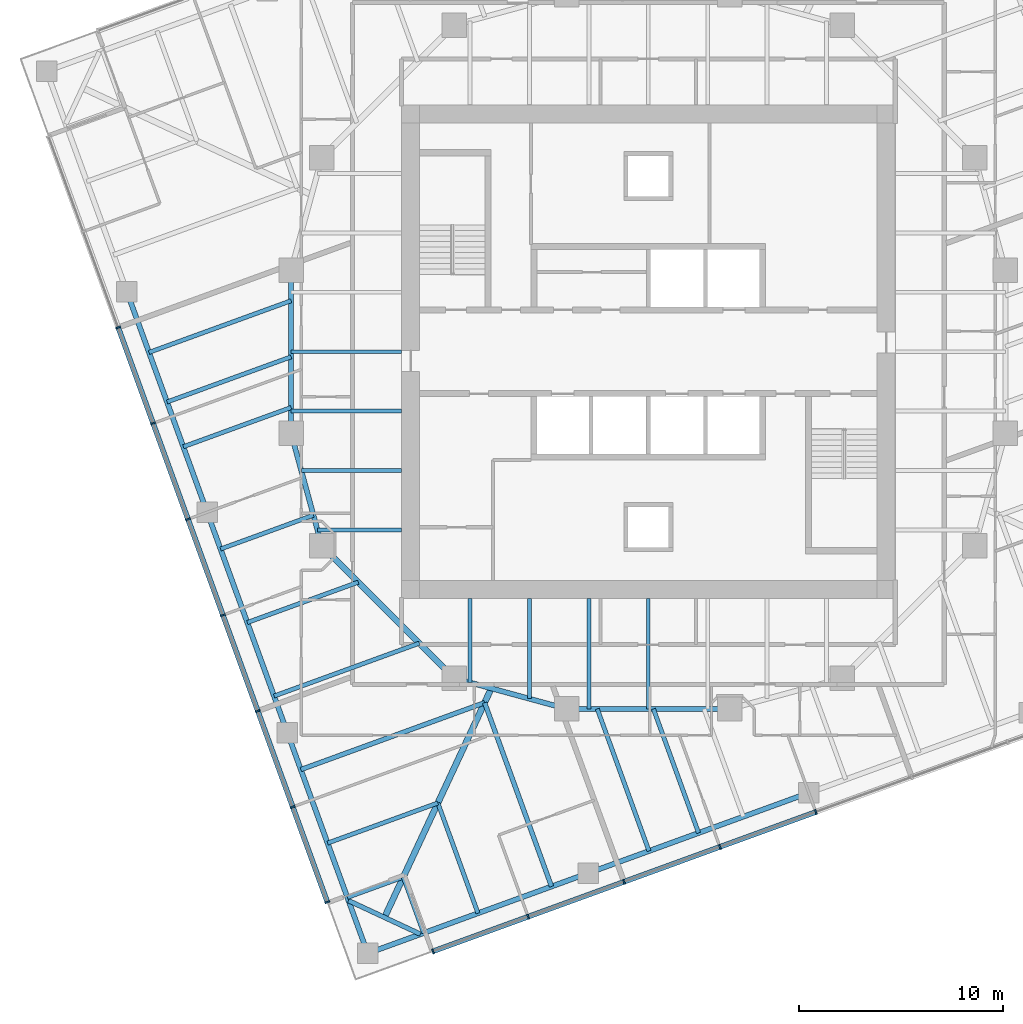
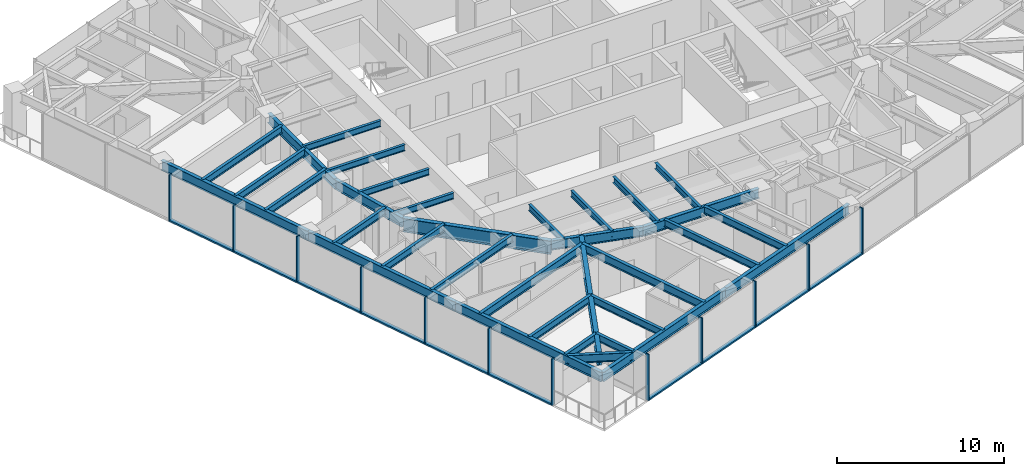
# One storey, part 2 of 13: 34 beams, 22 members, 2 elements without a shape of their own.
"""IFC4 building model written with IfcOpenShell, lengths in metres."""

from ifc_helpers import new_model, si_unit, direction, frame, origin, origin_2d, place, context, subcontext, project, spatial, rectangle, i_section, extrude, material, material_profile, profile_set, type_object, element, aggregate, save


model = new_model("IFC4")

# Units and contexts
model_context = context("Model", 3, precision=1e-05, world=origin(), true_north=direction((0.0, 1.0)))
body_context = subcontext(model_context, "Body", "Model", "MODEL_VIEW")
ifc_project = project(units=[si_unit("LENGTHUNIT", "METRE"), si_unit("AREAUNIT", "SQUARE_METRE"), si_unit("VOLUMEUNIT", "CUBIC_METRE"), si_unit("PLANEANGLEUNIT", "RADIAN"), si_unit("MASSUNIT", "GRAM", prefix="KILO")], contexts=[model_context])

# Site, building, storey
site_placement = place(None, origin())
site = spatial("IfcSite", under=ifc_project, at=site_placement, CompositionType="ELEMENT")
building_placement = place(site_placement, origin())
building = spatial("IfcBuilding", under=site, at=building_placement, Name="Torsade Residences", CompositionType="ELEMENT")
storey_placement = place(building_placement, frame((0.0, 0.0, 154.0)))
storey = spatial("IfcBuildingStorey", under=building, at=storey_placement, Name="L42", CompositionType="ELEMENT", Elevation=154.0)

# Beams
ifc_material_1 = material(Name="Steel grade 300", Category="steel")
ifc_material_profile_1 = material_profile(ifc_material_1, i_section(OverallWidth=0.300048828125, OverallDepth=0.89990234375, WebThickness=0.011962890625, FlangeThickness=0.02490234375, at=origin_2d()), Name="900WB175")
ifc_profile_set_1 = profile_set([ifc_material_profile_1], Name="Steel grade 300")
beam_type_1 = type_object("IfcBeamType", Name="CORNER GIRDER 900WB175", PredefinedType="BEAM", material=ifc_profile_set_1)
beam_1_placement = place(storey_placement, frame((27.075439453125, 2.282958984375, 2.800048828125), z_axis=(0.422616712682, 0.906308509373, 0.0), x_axis=(-0.906308509373, 0.422616712682, 0.0)))
element("IfcBeam", 1, at=beam_1_placement, inside=storey, type_object=beam_type_1, Name="Corner girder 01 L43", PredefinedType="BEAM", context=body_context, shape_type="SweptSolid", body=[
    extrude(i_section(OverallWidth=0.300048828125, OverallDepth=0.89990234375, WebThickness=0.011962890625, FlangeThickness=0.02490234375, at=origin_2d()), origin(), (0.0, 0.0, 1.0), 12.3837890625),
])
ifc_material_2 = material(Name="Steel grade 300", Category="steel")
ifc_material_profile_2 = material_profile(ifc_material_2, i_section(OverallWidth=0.22802734375, OverallDepth=0.60205078125, WebThickness=0.010498046875, FlangeThickness=0.014892578125, FilletRadius=0.013916015625, at=origin_2d()), Name="610UB101")
ifc_profile_set_2 = profile_set([ifc_material_profile_2], Name="Steel grade 300")
beam_type_2 = type_object("IfcBeamType", Name="CORNER TRIMMER 610UB101", PredefinedType="BEAM", material=ifc_profile_set_2)
beam_2_placement = place(storey_placement, frame((28.837646484375, 1.461181640625, 2.948974609375), z_axis=(-0.906309798645, 0.422613947806, 0.0), x_axis=(-0.422613947806, -0.906309798645, 0.0)))
element("IfcBeam", 2, at=beam_2_placement, inside=storey, type_object=beam_type_2, Name="Corner trimmer 01 L43", PredefinedType="BEAM", context=body_context, shape_type="SweptSolid", body=[
    extrude(i_section(OverallWidth=0.22802734375, OverallDepth=0.60205078125, WebThickness=0.010498046875, FlangeThickness=0.014892578125, FilletRadius=0.013916015625, at=origin_2d()), origin(), (0.0, 0.0, 1.0), 3.888916015625),
])
ifc_material_3 = material(Name="Steel grade 300", Category="steel")
ifc_material_profile_3 = material_profile(ifc_material_3, i_section(OverallWidth=0.25, OverallDepth=0.699951171875, WebThickness=0.010009765625, FlangeThickness=0.02001953125, at=origin_2d()), Name="700WB130")
ifc_profile_set_3 = profile_set([ifc_material_profile_3], Name="Steel grade 300")
beam_type_3 = type_object("IfcBeamType", Name="EDGE BEAM 700WB130", PredefinedType="SPANDREL", material=ifc_profile_set_3)
beam_3_placement = place(storey_placement, frame((26.25341796875, 0.5205078125, 2.89990234375), z_axis=(0.93969110915, 0.342024296483, 0.0), x_axis=(-0.342024296483, 0.93969110915, 0.0)))
element("IfcBeam", 3, at=beam_3_placement, inside=storey, type_object=beam_type_3, Name="Edge beam 01 L43", PredefinedType="SPANDREL", context=body_context, shape_type="SweptSolid", body=[
    extrude(i_section(OverallWidth=0.25, OverallDepth=0.699951171875, WebThickness=0.010009765625, FlangeThickness=0.02001953125, at=origin_2d()), origin(), (0.0, 0.0, 1.0), 11.500244140625),
])
for number, where, z_axis, x_axis, name in (
    (4, (37.06005859375, 4.453857421875, 2.89990234375), (0.939695448801, 0.342012373318, 0.0), (-0.342012373318, 0.939695448801, 0.0), "Edge beam 02 L43"),
    (5, (14.453857421875, 32.93994140625, 2.89990234375), (0.342012373318, -0.939695448801, 0.0), (0.939695448801, 0.342012373318, 0.0), "Edge beam 14 L43"),
    (6, (18.386962890625, 22.133544921875, 2.89990234375), (0.342031119628, -0.939688625666, 0.0), (0.939688625666, 0.342031119628, 0.0), "Edge beam 15 L43"),
    (7, (22.3203125, 11.3271484375, 2.89990234375), (0.342005550448, -0.939697932031, 0.0), (0.939697932031, 0.342005550448, 0.0), "Edge beam 16 L43"),
):
    element("IfcBeam", number, at=place(storey_placement, frame(where, z_axis=z_axis, x_axis=x_axis)), inside=storey, type_object=beam_type_3, Name=name, PredefinedType="SPANDREL", context=body_context, shape_type="SweptSolid", body=[
        extrude(i_section(OverallWidth=0.25, OverallDepth=0.699951171875, WebThickness=0.010009765625, FlangeThickness=0.02001953125, at=origin_2d()), origin(), (0.0, 0.0, 1.0), 11.5),
    ])
ifc_material_4 = material(Name="Steel grade 300", Category="steel")
ifc_material_profile_4 = material_profile(ifc_material_4, i_section(OverallWidth=0.18994140625, OverallDepth=0.4541015625, WebThickness=0.008544921875, FlangeThickness=0.0126953125, FilletRadius=0.011474609375, at=origin_2d()), Name="460UB67.1")
ifc_profile_set_4 = profile_set([ifc_material_profile_4], Name="Steel grade 300")
beam_type_4 = type_object("IfcBeamType", Name="INNER FLOOR BEAM 460UB67.1", PredefinedType="JOIST", material=ifc_profile_set_4)
for number, where, z_axis, x_axis, name in (
    (8, (40.0, 17.89990234375, 3.02294921875), (0.0, -1.0, 0.0), (1.0, 0.0, 0.0), "Inner floor beam IS04 L43"),
    (9, (37.08740234375, 17.89990234375, 3.02294921875), (0.0, -1.0, 0.0), (1.0, 0.0, 0.0), "Inner floor beam IS05 L43"),
):
    element("IfcBeam", number, at=place(storey_placement, frame(where, z_axis=z_axis, x_axis=x_axis)), inside=storey, type_object=beam_type_4, Name=name, PredefinedType="JOIST", context=body_context, shape_type="SweptSolid", body=[
        extrude(i_section(OverallWidth=0.18994140625, OverallDepth=0.4541015625, WebThickness=0.008544921875, FlangeThickness=0.0126953125, FilletRadius=0.011474609375, at=origin_2d()), origin(), (0.0, 0.0, 1.0), 5.39990234375),
    ])
beam_4_placement = place(storey_placement, frame((34.175048828125, 17.89990234375, 3.02294921875), z_axis=(0.0, -1.0, 0.0), x_axis=(1.0, 0.0, 0.0)))
element("IfcBeam", 10, at=beam_4_placement, inside=storey, type_object=beam_type_4, Name="Inner floor beam IS06 L43", PredefinedType="JOIST", context=body_context, shape_type="SweptSolid", body=[
    extrude(i_section(OverallWidth=0.18994140625, OverallDepth=0.4541015625, WebThickness=0.008544921875, FlangeThickness=0.0126953125, FilletRadius=0.011474609375, at=origin_2d()), origin(), (0.0, 0.0, 1.0), 4.902099609375),
])
beam_5_placement = place(storey_placement, frame((31.262451171875, 17.89990234375, 3.02294921875), z_axis=(0.0, -1.0, 0.0), x_axis=(1.0, 0.0, 0.0)))
element("IfcBeam", 11, at=beam_5_placement, inside=storey, type_object=beam_type_4, Name="Inner floor beam IS07 L43", PredefinedType="JOIST", context=body_context, shape_type="SweptSolid", body=[
    extrude(i_section(OverallWidth=0.18994140625, OverallDepth=0.4541015625, WebThickness=0.008544921875, FlangeThickness=0.0126953125, FilletRadius=0.011474609375, at=origin_2d()), origin(), (0.0, 0.0, 1.0), 4.10791015625),
])
for number, where, z_axis, x_axis, name in (
    (12, (27.89990234375, 30.0, 3.02294921875), (-1.0, 0.0, 0.0), (0.0, -1.0, 0.0), "Inner floor beam IW04 L43"),
    (13, (27.89990234375, 27.08740234375, 3.02294921875), (-1.0, 0.0, 0.0), (0.0, -1.0, 0.0), "Inner floor beam IW05 L43"),
):
    element("IfcBeam", number, at=place(storey_placement, frame(where, z_axis=z_axis, x_axis=x_axis)), inside=storey, type_object=beam_type_4, Name=name, PredefinedType="JOIST", context=body_context, shape_type="SweptSolid", body=[
        extrude(i_section(OverallWidth=0.18994140625, OverallDepth=0.4541015625, WebThickness=0.008544921875, FlangeThickness=0.0126953125, FilletRadius=0.011474609375, at=origin_2d()), origin(), (0.0, 0.0, 1.0), 5.39990234375),
    ])
beam_6_placement = place(storey_placement, frame((27.89990234375, 24.175048828125, 3.02294921875), z_axis=(-1.0, 0.0, 0.0), x_axis=(0.0, -1.0, 0.0)))
element("IfcBeam", 14, at=beam_6_placement, inside=storey, type_object=beam_type_4, Name="Inner floor beam IW06 L43", PredefinedType="JOIST", context=body_context, shape_type="SweptSolid", body=[
    extrude(i_section(OverallWidth=0.18994140625, OverallDepth=0.4541015625, WebThickness=0.008544921875, FlangeThickness=0.0126953125, FilletRadius=0.011474609375, at=origin_2d()), origin(), (0.0, 0.0, 1.0), 4.902099609375),
])
beam_7_placement = place(storey_placement, frame((27.89990234375, 21.262451171875, 3.02294921875), z_axis=(-1.0, 0.0, 0.0), x_axis=(0.0, -1.0, 0.0)))
element("IfcBeam", 15, at=beam_7_placement, inside=storey, type_object=beam_type_4, Name="Inner floor beam IW07 L43", PredefinedType="JOIST", context=body_context, shape_type="SweptSolid", body=[
    extrude(i_section(OverallWidth=0.18994140625, OverallDepth=0.4541015625, WebThickness=0.008544921875, FlangeThickness=0.0126953125, FilletRadius=0.011474609375, at=origin_2d()), origin(), (0.0, 0.0, 1.0), 4.10791015625),
])

# Curtain wall, members
ifc_material_5 = material(Name="Aluminium and glass", Category="aluminium")
curtain_wall_type = type_object("IfcCurtainWallType", Name="FRITTED GLASS CURTAIN WALL MID ZONE", PredefinedType="NOTDEFINED", material=ifc_material_5)
curtain_wall_1_placement = place(storey_placement, origin())
curtain_wall_1 = element("IfcCurtainWall", 16, at=curtain_wall_1_placement, inside=storey, type_object=curtain_wall_type, Name="Curtain wall L42 face 1", PredefinedType="NOTDEFINED")
ifc_material_6 = material(Name="Aluminium mullion", Category="aluminium")
ifc_material_profile_5 = material_profile(ifc_material_6, rectangle(XDim=0.25, YDim=0.080078125, at=origin_2d()), Name="MID ZONE CURTAIN WALL MULLION 250x80")
ifc_profile_set_5 = profile_set([ifc_material_profile_5], Name="Aluminium mullion")
member_type_1 = type_object("IfcMemberType", Name="MID ZONE CURTAIN WALL MULLION 250x80", PredefinedType="MULLION", material=ifc_profile_set_5)
member_1_placement = place(storey_placement, frame((29.4521484375, 0.62060546875, 0.0), z_axis=(0.0, 0.0, 1.0), x_axis=(-0.342020147869, 0.939692619132, 0.0)))
member_1 = element("IfcMember", 17, at=member_1_placement, type_object=member_type_1, Name="Mullion 1", PredefinedType="MULLION", context=body_context, shape_type="SweptSolid", body=[
    extrude(rectangle(XDim=0.25, YDim=0.080078125, at=origin_2d()), origin(), (0.0, 0.0, 1.0), 3.39990234375),
])
member_2_placement = place(storey_placement, frame((34.113037109375, 2.317138671875, 0.0), z_axis=(0.0, 0.0, 1.0), x_axis=(-0.342020147869, 0.939692619132, 0.0)))
member_2 = element("IfcMember", 18, at=member_2_placement, type_object=member_type_1, Name="Mullion 2", PredefinedType="MULLION", context=body_context, shape_type="SweptSolid", body=[
    extrude(rectangle(XDim=0.25, YDim=0.080078125, at=origin_2d()), origin(), (0.0, 0.0, 1.0), 3.39990234375),
])
member_3_placement = place(storey_placement, frame((38.8115234375, 4.027099609375, 0.0), z_axis=(0.0, 0.0, 1.0), x_axis=(-0.342020147869, 0.939692619132, 0.0)))
member_3 = element("IfcMember", 19, at=member_3_placement, type_object=member_type_1, Name="Mullion 3", PredefinedType="MULLION", context=body_context, shape_type="SweptSolid", body=[
    extrude(rectangle(XDim=0.25, YDim=0.080078125, at=origin_2d()), origin(), (0.0, 0.0, 1.0), 3.39990234375),
])
member_4_placement = place(storey_placement, frame((43.510009765625, 5.7373046875, 0.0), z_axis=(0.0, 0.0, 1.0), x_axis=(-0.342020147869, 0.939692619132, 0.0)))
member_4 = element("IfcMember", 20, at=member_4_placement, type_object=member_type_1, Name="Mullion 4", PredefinedType="MULLION", context=body_context, shape_type="SweptSolid", body=[
    extrude(rectangle(XDim=0.25, YDim=0.080078125, at=origin_2d()), origin(), (0.0, 0.0, 1.0), 3.39990234375),
])
member_5_placement = place(storey_placement, frame((48.20849609375, 7.447265625, 0.0), z_axis=(0.0, 0.0, 1.0), x_axis=(-0.342020147869, 0.939692619132, 0.0)))
member_5 = element("IfcMember", 21, at=member_5_placement, type_object=member_type_1, Name="Mullion 5", PredefinedType="MULLION", context=body_context, shape_type="SweptSolid", body=[
    extrude(rectangle(XDim=0.25, YDim=0.080078125, at=origin_2d()), origin(), (0.0, 0.0, 1.0), 3.39990234375),
])

curtain_wall_2_placement = place(storey_placement, origin())
curtain_wall_2 = element("IfcCurtainWall", 22, at=curtain_wall_2_placement, inside=storey, type_object=curtain_wall_type, Name="Curtain wall L42 face 10", PredefinedType="NOTDEFINED")
member_6_placement = place(storey_placement, frame((14.027099609375, 31.1884765625, 0.0), z_axis=(0.0, 0.0, 1.0), x_axis=(0.939692619132, 0.342020147869, 0.0)))
member_6 = element("IfcMember", 23, at=member_6_placement, type_object=member_type_1, Name="Mullion 3", PredefinedType="MULLION", context=body_context, shape_type="SweptSolid", body=[
    extrude(rectangle(XDim=0.25, YDim=0.080078125, at=origin_2d()), origin(), (0.0, 0.0, 1.0), 3.39990234375),
])
member_7_placement = place(storey_placement, frame((15.7373046875, 26.489990234375, 0.0), z_axis=(0.0, 0.0, 1.0), x_axis=(0.939692619132, 0.342020147869, 0.0)))
member_7 = element("IfcMember", 24, at=member_7_placement, type_object=member_type_1, Name="Mullion 4", PredefinedType="MULLION", context=body_context, shape_type="SweptSolid", body=[
    extrude(rectangle(XDim=0.25, YDim=0.080078125, at=origin_2d()), origin(), (0.0, 0.0, 1.0), 3.39990234375),
])
member_8_placement = place(storey_placement, frame((17.447265625, 21.79150390625, 0.0), z_axis=(0.0, 0.0, 1.0), x_axis=(0.939692619132, 0.342020147869, 0.0)))
member_8 = element("IfcMember", 25, at=member_8_placement, type_object=member_type_1, Name="Mullion 5", PredefinedType="MULLION", context=body_context, shape_type="SweptSolid", body=[
    extrude(rectangle(XDim=0.25, YDim=0.080078125, at=origin_2d()), origin(), (0.0, 0.0, 1.0), 3.39990234375),
])
member_9_placement = place(storey_placement, frame((19.157470703125, 17.093017578125, 0.0), z_axis=(0.0, 0.0, 1.0), x_axis=(0.939692619132, 0.342020147869, 0.0)))
member_9 = element("IfcMember", 26, at=member_9_placement, type_object=member_type_1, Name="Mullion 6", PredefinedType="MULLION", context=body_context, shape_type="SweptSolid", body=[
    extrude(rectangle(XDim=0.25, YDim=0.080078125, at=origin_2d()), origin(), (0.0, 0.0, 1.0), 3.39990234375),
])
member_10_placement = place(storey_placement, frame((20.86767578125, 12.39453125, 0.0), z_axis=(0.0, 0.0, 1.0), x_axis=(0.939692619132, 0.342020147869, 0.0)))
member_10 = element("IfcMember", 27, at=member_10_placement, type_object=member_type_1, Name="Mullion 7", PredefinedType="MULLION", context=body_context, shape_type="SweptSolid", body=[
    extrude(rectangle(XDim=0.25, YDim=0.080078125, at=origin_2d()), origin(), (0.0, 0.0, 1.0), 3.39990234375),
])
member_11_placement = place(storey_placement, frame((22.57763671875, 7.696044921875, 0.0), z_axis=(0.0, 0.0, 1.0), x_axis=(0.939692619132, 0.342020147869, 0.0)))
member_11 = element("IfcMember", 28, at=member_11_placement, type_object=member_type_1, Name="Mullion 8", PredefinedType="MULLION", context=body_context, shape_type="SweptSolid", body=[
    extrude(rectangle(XDim=0.25, YDim=0.080078125, at=origin_2d()), origin(), (0.0, 0.0, 1.0), 3.39990234375),
])
member_12_placement = place(storey_placement, frame((24.274169921875, 3.03515625, 0.0), z_axis=(0.0, 0.0, 1.0), x_axis=(0.939692619132, 0.342020147869, 0.0)))
member_12 = element("IfcMember", 29, at=member_12_placement, type_object=member_type_1, Name="Mullion 9", PredefinedType="MULLION", context=body_context, shape_type="SweptSolid", body=[
    extrude(rectangle(XDim=0.25, YDim=0.080078125, at=origin_2d()), origin(), (0.0, 0.0, 1.0), 3.39990234375),
])

# Member
ifc_material_7 = material(Name="Aluminium transom", Category="aluminium")
ifc_material_profile_6 = material_profile(ifc_material_7, rectangle(XDim=0.25, YDim=0.110107421875, at=origin_2d()), Name="MID ZONE CURTAIN WALL TRANSOM 250x110")
ifc_profile_set_6 = profile_set([ifc_material_profile_6], Name="Aluminium transom")
member_type_2 = type_object("IfcMemberType", Name="MID ZONE CURTAIN WALL TRANSOM 250x110", PredefinedType="USERDEFINED", material=ifc_profile_set_6)
member_13_placement = place(storey_placement, frame((29.48974609375, 0.63427734375, 0.054931640625), z_axis=(0.939683823915, 0.342044311564, 0.0), x_axis=(-0.342044311564, 0.939683823915, 0.0)))
member_13 = element("IfcMember", 30, at=member_13_placement, type_object=member_type_2, Name="Transom 1.1", ObjectType="TRANSOM", PredefinedType="USERDEFINED", context=body_context, shape_type="SweptSolid", body=[
    extrude(rectangle(XDim=0.25, YDim=0.110107421875, at=origin_2d()), origin(), (0.0, 0.0, 1.0), 4.880126953125),
])

member_14_placement = place(storey_placement, frame((34.150634765625, 2.330810546875, 0.054931640625), z_axis=(0.9397006637, 0.341998044792, 0.0), x_axis=(-0.341998044792, 0.9397006637, 0.0)))
member_14 = element("IfcMember", 31, at=member_14_placement, type_object=member_type_2, Name="Transom 2.1", ObjectType="TRANSOM", PredefinedType="USERDEFINED", context=body_context, shape_type="SweptSolid", body=[
    extrude(rectangle(XDim=0.25, YDim=0.110107421875, at=origin_2d()), origin(), (0.0, 0.0, 1.0), 4.919921875),
])

member_15_placement = place(storey_placement, frame((38.84912109375, 4.040771484375, 0.054931640625), z_axis=(0.93968471549, 0.342041862168, 0.0), x_axis=(-0.342041862168, 0.93968471549, 0.0)))
member_15 = element("IfcMember", 32, at=member_15_placement, type_object=member_type_2, Name="Transom 3.1", ObjectType="TRANSOM", PredefinedType="USERDEFINED", context=body_context, shape_type="SweptSolid", body=[
    extrude(rectangle(XDim=0.25, YDim=0.110107421875, at=origin_2d()), origin(), (0.0, 0.0, 1.0), 4.920166015625),
])

member_16_placement = place(storey_placement, frame((43.547607421875, 5.7509765625, 0.054931640625), z_axis=(0.9397006637, 0.341998044792, 0.0), x_axis=(-0.341998044792, 0.9397006637, 0.0)))
member_16 = element("IfcMember", 33, at=member_16_placement, type_object=member_type_2, Name="Transom 4.1", ObjectType="TRANSOM", PredefinedType="USERDEFINED", context=body_context, shape_type="SweptSolid", body=[
    extrude(rectangle(XDim=0.25, YDim=0.110107421875, at=origin_2d()), origin(), (0.0, 0.0, 1.0), 4.919921875),
])

aggregate(curtain_wall_1, [member_1, member_2, member_3, member_4, member_5, member_13, member_14, member_15, member_16])

member_17_placement = place(storey_placement, frame((14.040771484375, 31.15087890625, 0.054931640625), z_axis=(0.342041862168, -0.93968471549, 0.0), x_axis=(0.93968471549, 0.342041862168, 0.0)))
member_17 = element("IfcMember", 34, at=member_17_placement, type_object=member_type_2, Name="Transom 3.1", ObjectType="TRANSOM", PredefinedType="USERDEFINED", context=body_context, shape_type="SweptSolid", body=[
    extrude(rectangle(XDim=0.25, YDim=0.110107421875, at=origin_2d()), origin(), (0.0, 0.0, 1.0), 4.920166015625),
])

member_18_placement = place(storey_placement, frame((15.7509765625, 26.452392578125, 0.054931640625), z_axis=(0.341998044792, -0.9397006637, 0.0), x_axis=(0.9397006637, 0.341998044792, 0.0)))
member_18 = element("IfcMember", 35, at=member_18_placement, type_object=member_type_2, Name="Transom 4.1", ObjectType="TRANSOM", PredefinedType="USERDEFINED", context=body_context, shape_type="SweptSolid", body=[
    extrude(rectangle(XDim=0.25, YDim=0.110107421875, at=origin_2d()), origin(), (0.0, 0.0, 1.0), 4.919921875),
])

member_19_placement = place(storey_placement, frame((17.4609375, 21.75390625, 0.054931640625), z_axis=(0.342041862168, -0.93968471549, 0.0), x_axis=(0.93968471549, 0.342041862168, 0.0)))
member_19 = element("IfcMember", 36, at=member_19_placement, type_object=member_type_2, Name="Transom 5.1", ObjectType="TRANSOM", PredefinedType="USERDEFINED", context=body_context, shape_type="SweptSolid", body=[
    extrude(rectangle(XDim=0.25, YDim=0.110107421875, at=origin_2d()), origin(), (0.0, 0.0, 1.0), 4.920166015625),
])

member_20_placement = place(storey_placement, frame((19.171142578125, 17.055419921875, 0.054931640625), z_axis=(0.342041862168, -0.93968471549, 0.0), x_axis=(0.93968471549, 0.342041862168, 0.0)))
member_20 = element("IfcMember", 37, at=member_20_placement, type_object=member_type_2, Name="Transom 6.1", ObjectType="TRANSOM", PredefinedType="USERDEFINED", context=body_context, shape_type="SweptSolid", body=[
    extrude(rectangle(XDim=0.25, YDim=0.110107421875, at=origin_2d()), origin(), (0.0, 0.0, 1.0), 4.920166015625),
])

member_21_placement = place(storey_placement, frame((20.88134765625, 12.35693359375, 0.054931640625), z_axis=(0.341998044792, -0.9397006637, 0.0), x_axis=(0.9397006637, 0.341998044792, 0.0)))
member_21 = element("IfcMember", 38, at=member_21_placement, type_object=member_type_2, Name="Transom 7.1", ObjectType="TRANSOM", PredefinedType="USERDEFINED", context=body_context, shape_type="SweptSolid", body=[
    extrude(rectangle(XDim=0.25, YDim=0.110107421875, at=origin_2d()), origin(), (0.0, 0.0, 1.0), 4.919921875),
])

member_22_placement = place(storey_placement, frame((22.59130859375, 7.658447265625, 0.054931640625), z_axis=(0.342044311564, -0.939683823915, 0.0), x_axis=(0.939683823915, 0.342044311564, 0.0)))
member_22 = element("IfcMember", 39, at=member_22_placement, type_object=member_type_2, Name="Transom 8.1", ObjectType="TRANSOM", PredefinedType="USERDEFINED", context=body_context, shape_type="SweptSolid", body=[
    extrude(rectangle(XDim=0.25, YDim=0.110107421875, at=origin_2d()), origin(), (0.0, 0.0, 1.0), 4.880126953125),
])

aggregate(curtain_wall_2, [member_6, member_7, member_8, member_9, member_10, member_11, member_12, member_17, member_18, member_19, member_20, member_21, member_22])

# Beams
ifc_material_8 = material(Name="Steel grade 300", Category="steel")
ifc_material_profile_7 = material_profile(ifc_material_8, i_section(OverallWidth=0.300048828125, OverallDepth=1.0, WebThickness=0.01611328125, FlangeThickness=0.028076171875, at=origin_2d()), Name="1000WB215")
ifc_profile_set_7 = profile_set([ifc_material_profile_7], Name="Steel grade 300")
beam_type_5 = type_object("IfcBeamType", Name="RING CORNER GIRDER 1000WB215", PredefinedType="BEAM", material=ifc_profile_set_7)
beam_8_placement = place(storey_placement, frame((24.0, 20.5, 2.75), z_axis=(0.707106781187, -0.707106781187, 0.0), x_axis=(0.707106781187, 0.707106781187, 0.0)))
element("IfcBeam", 40, at=beam_8_placement, inside=storey, type_object=beam_type_5, Name="Ring girder IR11 L43", PredefinedType="BEAM", context=body_context, shape_type="SweptSolid", body=[
    extrude(i_section(OverallWidth=0.300048828125, OverallDepth=1.0, WebThickness=0.01611328125, FlangeThickness=0.028076171875, at=origin_2d()), origin(), (0.0, 0.0, 1.0), 9.1923828125),
])
ifc_material_9 = material(Name="Steel grade 300", Category="steel")
ifc_material_profile_8 = material_profile(ifc_material_9, i_section(OverallWidth=0.25, OverallDepth=0.699951171875, WebThickness=0.010009765625, FlangeThickness=0.02001953125, at=origin_2d()), Name="700WB130")
ifc_profile_set_8 = profile_set([ifc_material_profile_8], Name="Steel grade 300")
beam_type_6 = type_object("IfcBeamType", Name="RING GIRDER 700WB130", PredefinedType="BEAM", material=ifc_profile_set_8)
beam_9_placement = place(storey_placement, frame((22.5, 34.0, 2.89990234375), z_axis=(0.0, -1.0, 0.0), x_axis=(1.0, 0.0, 0.0)))
element("IfcBeam", 41, at=beam_9_placement, inside=storey, type_object=beam_type_6, Name="Ring girder IR09 L43", PredefinedType="BEAM", context=body_context, shape_type="SweptSolid", body=[
    extrude(i_section(OverallWidth=0.25, OverallDepth=0.699951171875, WebThickness=0.010009765625, FlangeThickness=0.02001953125, at=origin_2d()), origin(), (0.0, 0.0, 1.0), 8.0),
])
for number, where, z_axis, x_axis, name in (
    (42, (22.5, 26.0, 2.89990234375), (0.263117405792, -0.964763821238, 0.0), (0.964763821238, 0.263117405792, 0.0), "Ring girder IR10 L43"),
    (43, (30.5, 14.0, 2.89990234375), (0.964763821238, -0.263117405792, 0.0), (0.263117405792, 0.964763821238, 0.0), "Ring girder IR12 L43"),
):
    element("IfcBeam", number, at=place(storey_placement, frame(where, z_axis=z_axis, x_axis=x_axis)), inside=storey, type_object=beam_type_6, Name=name, PredefinedType="BEAM", context=body_context, shape_type="SweptSolid", body=[
        extrude(i_section(OverallWidth=0.25, OverallDepth=0.699951171875, WebThickness=0.010009765625, FlangeThickness=0.02001953125, at=origin_2d()), origin(), (0.0, 0.0, 1.0), 5.700927734375),
    ])
beam_10_placement = place(storey_placement, frame((36.0, 12.5, 2.89990234375), z_axis=(1.0, 0.0, 0.0), x_axis=(0.0, 1.0, 0.0)))
element("IfcBeam", 44, at=beam_10_placement, inside=storey, type_object=beam_type_6, Name="Ring girder IR13 L43", PredefinedType="BEAM", context=body_context, shape_type="SweptSolid", body=[
    extrude(i_section(OverallWidth=0.25, OverallDepth=0.699951171875, WebThickness=0.010009765625, FlangeThickness=0.02001953125, at=origin_2d()), origin(), (0.0, 0.0, 1.0), 8.0),
])
ifc_material_10 = material(Name="Steel grade 300", Category="steel")
ifc_material_profile_9 = material_profile(ifc_material_10, i_section(OverallWidth=0.208984375, OverallDepth=0.528076171875, WebThickness=0.009521484375, FlangeThickness=0.01318359375, FilletRadius=0.013916015625, at=origin_2d()), Name="530UB82.0")
ifc_profile_set_9 = profile_set([ifc_material_profile_9], Name="Steel grade 300")
beam_type_7 = type_object("IfcBeamType", Name="SECONDARY BEAM 530UB82.0", PredefinedType="JOIST", material=ifc_profile_set_9)
beam_11_placement = place(storey_placement, frame((28.994384765625, 1.51806640625, 2.986083984375), z_axis=(-0.341998427281, 0.939700524495, 0.0), x_axis=(-0.939700524495, -0.341998427281, 0.0)))
element("IfcBeam", 45, at=beam_11_placement, inside=storey, type_object=beam_type_7, Name="Floor beam FS01 L43", PredefinedType="JOIST", context=body_context, shape_type="SweptSolid", body=[
    extrude(i_section(OverallWidth=0.208984375, OverallDepth=0.528076171875, WebThickness=0.009521484375, FlangeThickness=0.01318359375, FilletRadius=0.013916015625, at=origin_2d()), origin(), (0.0, 0.0, 1.0), 2.916748046875),
])
beam_12_placement = place(storey_placement, frame((31.65673828125, 2.4873046875, 2.986083984375), z_axis=(-0.342019196443, 0.939692965423, 0.0), x_axis=(-0.939692965423, -0.342019196443, 0.0)))
element("IfcBeam", 46, at=beam_12_placement, inside=storey, type_object=beam_type_7, Name="Floor beam FS02 L43", PredefinedType="JOIST", context=body_context, shape_type="SweptSolid", body=[
    extrude(i_section(OverallWidth=0.208984375, OverallDepth=0.528076171875, WebThickness=0.009521484375, FlangeThickness=0.01318359375, FilletRadius=0.013916015625, at=origin_2d()), origin(), (0.0, 0.0, 1.0), 5.749755859375),
])
beam_13_placement = place(storey_placement, frame((40.03564453125, 5.536865234375, 2.986083984375), z_axis=(-0.342026105929, 0.939690450554, 0.0), x_axis=(-0.939690450554, -0.342026105929, 0.0)))
element("IfcBeam", 47, at=beam_13_placement, inside=storey, type_object=beam_type_7, Name="Floor beam FS04 L43", PredefinedType="JOIST", context=body_context, shape_type="SweptSolid", body=[
    extrude(i_section(OverallWidth=0.208984375, OverallDepth=0.528076171875, WebThickness=0.009521484375, FlangeThickness=0.01318359375, FilletRadius=0.013916015625, at=origin_2d()), origin(), (0.0, 0.0, 1.0), 7.409912109375),
])
beam_14_placement = place(storey_placement, frame((42.463134765625, 6.42041015625, 2.986083984375), z_axis=(-0.342000590983, 0.939699737026, 0.0), x_axis=(-0.939699737026, -0.342000590983, 0.0)))
element("IfcBeam", 48, at=beam_14_placement, inside=storey, type_object=beam_type_7, Name="Floor beam FS05 L43", PredefinedType="JOIST", context=body_context, shape_type="SweptSolid", body=[
    extrude(i_section(OverallWidth=0.208984375, OverallDepth=0.528076171875, WebThickness=0.009521484375, FlangeThickness=0.01318359375, FilletRadius=0.013916015625, at=origin_2d()), origin(), (0.0, 0.0, 1.0), 6.4697265625),
])
beam_15_placement = place(storey_placement, frame((15.536865234375, 29.96435546875, 2.986083984375), z_axis=(0.939690450554, 0.342026105929, 0.0), x_axis=(-0.342026105929, 0.939690450554, 0.0)))
element("IfcBeam", 49, at=beam_15_placement, inside=storey, type_object=beam_type_7, Name="Floor beam FW04 L43", PredefinedType="JOIST", context=body_context, shape_type="SweptSolid", body=[
    extrude(i_section(OverallWidth=0.208984375, OverallDepth=0.528076171875, WebThickness=0.009521484375, FlangeThickness=0.01318359375, FilletRadius=0.013916015625, at=origin_2d()), origin(), (0.0, 0.0, 1.0), 7.409912109375),
])
beam_16_placement = place(storey_placement, frame((16.42041015625, 27.536865234375, 2.986083984375), z_axis=(0.939699737026, 0.342000590983, 0.0), x_axis=(-0.342000590983, 0.939699737026, 0.0)))
element("IfcBeam", 50, at=beam_16_placement, inside=storey, type_object=beam_type_7, Name="Floor beam FW05 L43", PredefinedType="JOIST", context=body_context, shape_type="SweptSolid", body=[
    extrude(i_section(OverallWidth=0.208984375, OverallDepth=0.528076171875, WebThickness=0.009521484375, FlangeThickness=0.01318359375, FilletRadius=0.013916015625, at=origin_2d()), origin(), (0.0, 0.0, 1.0), 6.4697265625),
])
beam_17_placement = place(storey_placement, frame((17.218505859375, 25.34423828125, 2.986083984375), z_axis=(0.939703343336, 0.341990681925, 0.0), x_axis=(-0.341990681925, 0.939703343336, 0.0)))
element("IfcBeam", 51, at=beam_17_placement, inside=storey, type_object=beam_type_7, Name="Floor beam FW06 L43", PredefinedType="JOIST", context=body_context, shape_type="SweptSolid", body=[
    extrude(i_section(OverallWidth=0.208984375, OverallDepth=0.528076171875, WebThickness=0.009521484375, FlangeThickness=0.01318359375, FilletRadius=0.013916015625, at=origin_2d()), origin(), (0.0, 0.0, 1.0), 5.620361328125),
])
beam_18_placement = place(storey_placement, frame((19.042724609375, 20.33251953125, 2.986083984375), z_axis=(0.939694777187, 0.342014218604, 0.0), x_axis=(-0.342014218604, 0.939694777187, 0.0)))
element("IfcBeam", 52, at=beam_18_placement, inside=storey, type_object=beam_type_7, Name="Floor beam FW07 L43", PredefinedType="JOIST", context=body_context, shape_type="SweptSolid", body=[
    extrude(i_section(OverallWidth=0.208984375, OverallDepth=0.528076171875, WebThickness=0.009521484375, FlangeThickness=0.01318359375, FilletRadius=0.013916015625, at=origin_2d()), origin(), (0.0, 0.0, 1.0), 4.84326171875),
])
beam_19_placement = place(storey_placement, frame((20.353759765625, 16.730224609375, 2.986083984375), z_axis=(0.939687428295, 0.342034409239, 0.0), x_axis=(-0.342034409239, 0.939687428295, 0.0)))
element("IfcBeam", 53, at=beam_19_placement, inside=storey, type_object=beam_type_7, Name="Floor beam FW08 L43", PredefinedType="JOIST", context=body_context, shape_type="SweptSolid", body=[
    extrude(i_section(OverallWidth=0.208984375, OverallDepth=0.528076171875, WebThickness=0.009521484375, FlangeThickness=0.01318359375, FilletRadius=0.013916015625, at=origin_2d()), origin(), (0.0, 0.0, 1.0), 5.785888671875),
])
beam_20_placement = place(storey_placement, frame((21.664794921875, 13.128173828125, 2.986083984375), z_axis=(0.939689847531, 0.342027762686, 0.0), x_axis=(-0.342027762686, 0.939689847531, 0.0)))
element("IfcBeam", 54, at=beam_20_placement, inside=storey, type_object=beam_type_7, Name="Floor beam FW09 L43", PredefinedType="JOIST", context=body_context, shape_type="SweptSolid", body=[
    extrude(i_section(OverallWidth=0.208984375, OverallDepth=0.528076171875, WebThickness=0.009521484375, FlangeThickness=0.01318359375, FilletRadius=0.013916015625, at=origin_2d()), origin(), (0.0, 0.0, 1.0), 7.573486328125),
])
beam_21_placement = place(storey_placement, frame((24.286865234375, 5.923828125, 2.986083984375), z_axis=(0.939697932031, 0.342005550448, 0.0), x_axis=(-0.342005550448, 0.939697932031, 0.0)))
element("IfcBeam", 55, at=beam_21_placement, inside=storey, type_object=beam_type_7, Name="Floor beam FW11 L43", PredefinedType="JOIST", context=body_context, shape_type="SweptSolid", body=[
    extrude(i_section(OverallWidth=0.208984375, OverallDepth=0.528076171875, WebThickness=0.009521484375, FlangeThickness=0.01318359375, FilletRadius=0.013916015625, at=origin_2d()), origin(), (0.0, 0.0, 1.0), 5.75),
])
beam_22_placement = place(storey_placement, frame((25.255859375, 3.261474609375, 2.986083984375), z_axis=(0.939700524495, 0.341998427281, 0.0), x_axis=(-0.341998427281, 0.939700524495, 0.0)))
element("IfcBeam", 56, at=beam_22_placement, inside=storey, type_object=beam_type_7, Name="Floor beam FW12 L43", PredefinedType="JOIST", context=body_context, shape_type="SweptSolid", body=[
    extrude(i_section(OverallWidth=0.208984375, OverallDepth=0.528076171875, WebThickness=0.009521484375, FlangeThickness=0.01318359375, FilletRadius=0.013916015625, at=origin_2d()), origin(), (0.0, 0.0, 1.0), 2.916748046875),
])
ifc_material_11 = material(Name="Steel grade 300", Category="steel")
ifc_material_profile_10 = material_profile(ifc_material_11, i_section(OverallWidth=0.22900390625, OverallDepth=0.612060546875, WebThickness=0.011962890625, FlangeThickness=0.01953125, FilletRadius=0.013916015625, at=origin_2d()), Name="610UB125")
ifc_profile_set_10 = profile_set([ifc_material_profile_10], Name="Steel grade 300")
beam_type_8 = type_object("IfcBeamType", Name="SECONDARY BEAM 610UB125", PredefinedType="JOIST", material=ifc_profile_set_10)
for number, where, z_axis, x_axis, name in (
    (57, (35.259033203125, 3.79833984375, 2.944091796875), (-0.342033504181, 0.939687757725, 0.0), (-0.939687757725, -0.342033504181, 0.0), "Floor beam FS03 L43"),
    (58, (22.975830078125, 9.52587890625, 2.944091796875), (0.939687757725, 0.342033504181, 0.0), (-0.342033504181, 0.939687757725, 0.0), "Floor beam FW10 L43"),
):
    element("IfcBeam", number, at=place(storey_placement, frame(where, z_axis=z_axis, x_axis=x_axis)), inside=storey, type_object=beam_type_8, Name=name, PredefinedType="JOIST", context=body_context, shape_type="SweptSolid", body=[
        extrude(i_section(OverallWidth=0.22900390625, OverallDepth=0.612060546875, WebThickness=0.011962890625, FlangeThickness=0.01953125, FilletRadius=0.013916015625, at=origin_2d()), origin(), (0.0, 0.0, 1.0), 9.583251953125),
    ])

save(model, "model.ifc")
